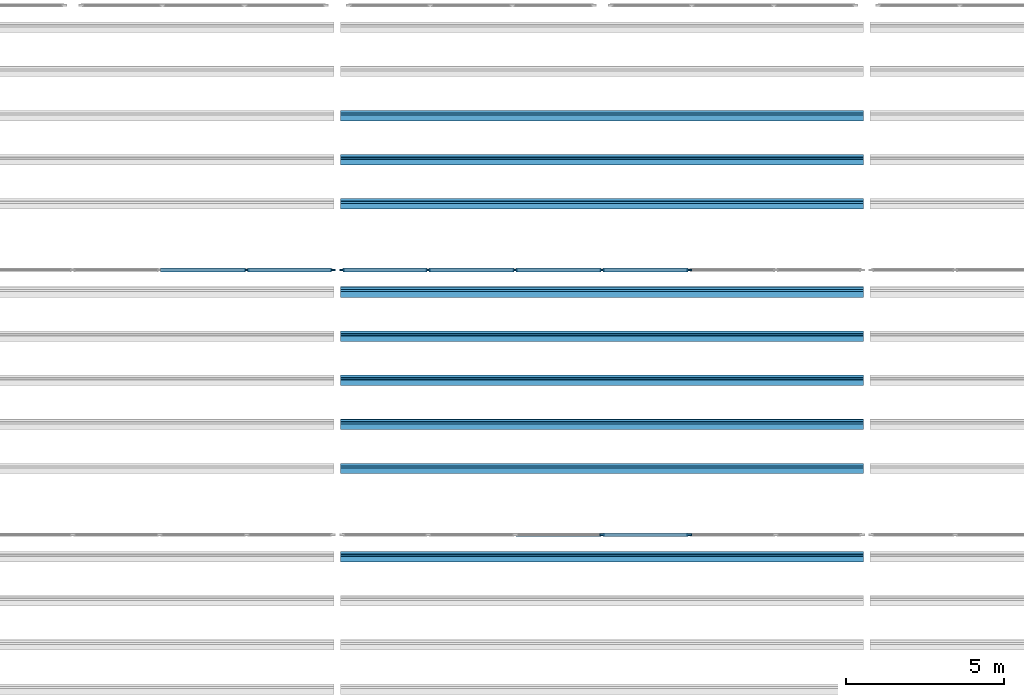
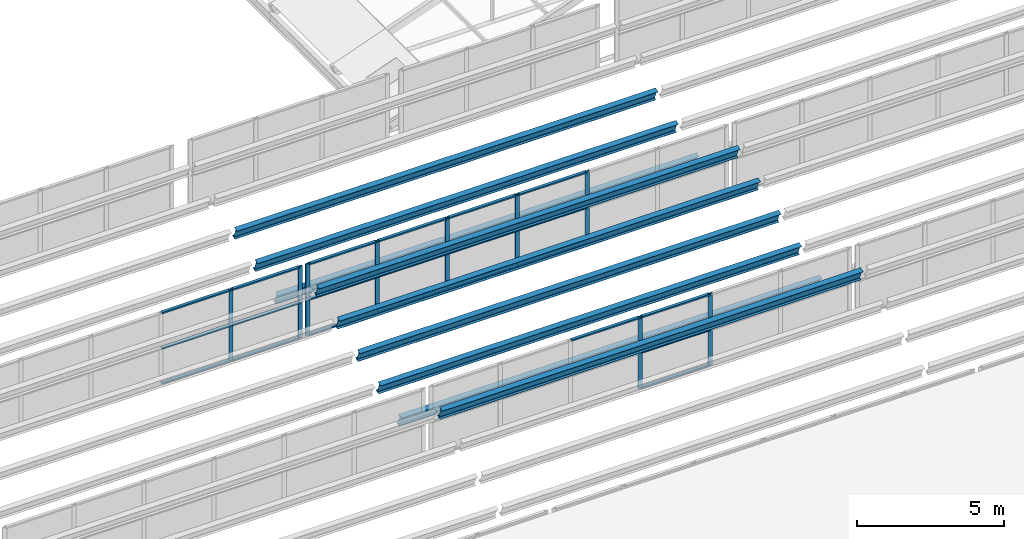
# One storey, part 22 of 116: 40 members, 3 elements without a shape of their own.
"""IFC4 building model written with IfcOpenShell, lengths in metres."""

from ifc_helpers import new_model, si_unit, direction, frame, origin, origin_2d, place, context, subcontext, project, spatial, rectangle, i_section, extrude, material, material_profile, profile_set, type_object, element, aggregate, save


model = new_model("IFC4")

# Units and contexts
model_context = context("Model", 3, precision=1e-05, world=origin(), true_north=direction((0.0, 1.0)))
body_context = subcontext(model_context, "Body", "Model", "MODEL_VIEW")
ifc_project = project(units=[si_unit("LENGTHUNIT", "METRE"), si_unit("AREAUNIT", "SQUARE_METRE"), si_unit("VOLUMEUNIT", "CUBIC_METRE"), si_unit("PLANEANGLEUNIT", "RADIAN"), si_unit("MASSUNIT", "GRAM", prefix="KILO")], contexts=[model_context])

# Site, building, storey
site_placement = place(None, origin())
site = spatial("IfcSite", under=ifc_project, at=site_placement, CompositionType="ELEMENT")
building_placement = place(site_placement, origin())
building = spatial("IfcBuilding", under=site, at=building_placement, Name="Fescue Hill Polytechnic", CompositionType="ELEMENT")
storey_placement = place(building_placement, frame((0.0, 0.0, 13.5)))
storey = spatial("IfcBuildingStorey", under=building, at=storey_placement, Name="L03", CompositionType="ELEMENT", Elevation=13.5)

# Curtain wall, members
ifc_material_1 = material(Name="Aluminium and glass", Category="aluminium")
curtain_wall_type = type_object("IfcCurtainWallType", Name="Sawtooth north glazing curtain wall", PredefinedType="NOTDEFINED", material=ifc_material_1)
curtain_wall_1_placement = place(storey_placement, origin())
curtain_wall_1 = element("IfcCurtainWall", 1, at=curtain_wall_1_placement, inside=storey, type_object=curtain_wall_type, Name="Sawtooth 2 north glazing bay 6", PredefinedType="NOTDEFINED")
ifc_material_2 = material(Name="Aluminium", Category="aluminium")
ifc_material_profile_1 = material_profile(ifc_material_2, rectangle(XDim=0.06005859375, YDim=0.159912109375, at=origin_2d()), Name="Curtain wall mullion 60x160")
ifc_profile_set_1 = profile_set([ifc_material_profile_1], Name="Aluminium")
member_type_1 = type_object("IfcMemberType", Name="Curtain wall mullion 60x160", PredefinedType="MULLION", material=ifc_profile_set_1)
member_1_placement = place(storey_placement, frame((92.39990234375, 33.60009765625, 0.0), z_axis=(0.0, 0.0, 1.0), x_axis=(0.0, 1.0, 0.0)))
member_1 = element("IfcMember", 2, at=member_1_placement, type_object=member_type_1, Name="CW13 mullion 4", PredefinedType="MULLION", context=body_context, shape_type="SweptSolid", body=[
    extrude(rectangle(XDim=0.06005859375, YDim=0.159912109375, at=origin_2d()), origin(), (0.0, 0.0, 1.0), 3.0),
])
member_2_placement = place(storey_placement, frame((95.159912109375, 33.60009765625, 0.0), z_axis=(0.0, 0.0, 1.0), x_axis=(0.0, 1.0, 0.0)))
member_2 = element("IfcMember", 3, at=member_2_placement, type_object=member_type_1, Name="CW13 mullion 5", PredefinedType="MULLION", context=body_context, shape_type="SweptSolid", body=[
    extrude(rectangle(XDim=0.06005859375, YDim=0.159912109375, at=origin_2d()), origin(), (0.0, 0.0, 1.0), 3.0),
])

curtain_wall_2_placement = place(storey_placement, origin())
curtain_wall_2 = element("IfcCurtainWall", 4, at=curtain_wall_2_placement, inside=storey, type_object=curtain_wall_type, Name="Sawtooth 3 north glazing bay 5", PredefinedType="NOTDEFINED")
member_3_placement = place(storey_placement, frame((81.1201171875, 42.0, 0.0), z_axis=(0.0, 0.0, 1.0), x_axis=(0.0, 1.0, 0.0)))
member_3 = element("IfcMember", 5, at=member_3_placement, type_object=member_type_1, Name="CW19 mullion 6", PredefinedType="MULLION", context=body_context, shape_type="SweptSolid", body=[
    extrude(rectangle(XDim=0.06005859375, YDim=0.159912109375, at=origin_2d()), origin(), (0.0, 0.0, 1.0), 3.0),
])
member_4_placement = place(storey_placement, frame((83.85009765625, 42.0, 0.0), z_axis=(0.0, 0.0, 1.0), x_axis=(0.0, 1.0, 0.0)))
member_4 = element("IfcMember", 6, at=member_4_placement, type_object=member_type_1, Name="CW19 mullion 7", PredefinedType="MULLION", context=body_context, shape_type="SweptSolid", body=[
    extrude(rectangle(XDim=0.06005859375, YDim=0.159912109375, at=origin_2d()), origin(), (0.0, 0.0, 1.0), 3.0),
])

curtain_wall_3_placement = place(storey_placement, origin())
curtain_wall_3 = element("IfcCurtainWall", 7, at=curtain_wall_3_placement, inside=storey, type_object=curtain_wall_type, Name="Sawtooth 3 north glazing bay 6", PredefinedType="NOTDEFINED")
member_5_placement = place(storey_placement, frame((84.14990234375, 42.0, 0.0), z_axis=(0.0, 0.0, 1.0), x_axis=(0.0, 1.0, 0.0)))
member_5 = element("IfcMember", 8, at=member_5_placement, type_object=member_type_1, Name="CW20 mullion 1", PredefinedType="MULLION", context=body_context, shape_type="SweptSolid", body=[
    extrude(rectangle(XDim=0.06005859375, YDim=0.159912109375, at=origin_2d()), origin(), (0.0, 0.0, 1.0), 3.0),
])
member_6_placement = place(storey_placement, frame((86.8798828125, 42.0, 0.0), z_axis=(0.0, 0.0, 1.0), x_axis=(0.0, 1.0, 0.0)))
member_6 = element("IfcMember", 9, at=member_6_placement, type_object=member_type_1, Name="CW20 mullion 2", PredefinedType="MULLION", context=body_context, shape_type="SweptSolid", body=[
    extrude(rectangle(XDim=0.06005859375, YDim=0.159912109375, at=origin_2d()), origin(), (0.0, 0.0, 1.0), 3.0),
])
member_7_placement = place(storey_placement, frame((89.639892578125, 42.0, 0.0), z_axis=(0.0, 0.0, 1.0), x_axis=(0.0, 1.0, 0.0)))
member_7 = element("IfcMember", 10, at=member_7_placement, type_object=member_type_1, Name="CW20 mullion 3", PredefinedType="MULLION", context=body_context, shape_type="SweptSolid", body=[
    extrude(rectangle(XDim=0.06005859375, YDim=0.159912109375, at=origin_2d()), origin(), (0.0, 0.0, 1.0), 3.0),
])
member_8_placement = place(storey_placement, frame((92.39990234375, 42.0, 0.0), z_axis=(0.0, 0.0, 1.0), x_axis=(0.0, 1.0, 0.0)))
member_8 = element("IfcMember", 11, at=member_8_placement, type_object=member_type_1, Name="CW20 mullion 4", PredefinedType="MULLION", context=body_context, shape_type="SweptSolid", body=[
    extrude(rectangle(XDim=0.06005859375, YDim=0.159912109375, at=origin_2d()), origin(), (0.0, 0.0, 1.0), 3.0),
])
member_9_placement = place(storey_placement, frame((95.159912109375, 42.0, 0.0), z_axis=(0.0, 0.0, 1.0), x_axis=(0.0, 1.0, 0.0)))
member_9 = element("IfcMember", 12, at=member_9_placement, type_object=member_type_1, Name="CW20 mullion 5", PredefinedType="MULLION", context=body_context, shape_type="SweptSolid", body=[
    extrude(rectangle(XDim=0.06005859375, YDim=0.159912109375, at=origin_2d()), origin(), (0.0, 0.0, 1.0), 3.0),
])

# Member
ifc_material_profile_2 = material_profile(ifc_material_2, rectangle(XDim=0.1201171875, YDim=0.06005859375, at=origin_2d()), Name="Curtain wall transom 60x120")
ifc_profile_set_2 = profile_set([ifc_material_profile_2], Name="Aluminium")
member_type_2 = type_object("IfcMemberType", Name="Curtain wall transom 60x120", PredefinedType="USERDEFINED", material=ifc_profile_set_2)
member_10_placement = place(storey_placement, frame((89.669921875, 33.60009765625, 2.969970703125), z_axis=(1.0, 0.0, 0.0), x_axis=(0.0, 1.0, 0.0)))
member_10 = element("IfcMember", 13, at=member_10_placement, type_object=member_type_2, Name="CW13 transom 3.3", ObjectType="TRANSOM", PredefinedType="USERDEFINED", context=body_context, shape_type="SweptSolid", body=[
    extrude(rectangle(XDim=0.1201171875, YDim=0.06005859375, at=origin_2d()), origin(), (0.0, 0.0, 1.0), 2.7001953125),
])

member_11_placement = place(storey_placement, frame((92.429931640625, 33.60009765625, 0.030029296875), z_axis=(1.0, 0.0, 0.0), x_axis=(0.0, 1.0, 0.0)))
member_11 = element("IfcMember", 14, at=member_11_placement, type_object=member_type_2, Name="CW13 transom 4.1", ObjectType="TRANSOM", PredefinedType="USERDEFINED", context=body_context, shape_type="SweptSolid", body=[
    extrude(rectangle(XDim=0.1201171875, YDim=0.06005859375, at=origin_2d()), origin(), (0.0, 0.0, 1.0), 2.699951171875),
])

member_12_placement = place(storey_placement, frame((92.429931640625, 33.60009765625, 1.5), z_axis=(1.0, 0.0, 0.0), x_axis=(0.0, 1.0, 0.0)))
member_12 = element("IfcMember", 15, at=member_12_placement, type_object=member_type_2, Name="CW13 transom 4.2", ObjectType="TRANSOM", PredefinedType="USERDEFINED", context=body_context, shape_type="SweptSolid", body=[
    extrude(rectangle(XDim=0.1201171875, YDim=0.06005859375, at=origin_2d()), origin(), (0.0, 0.0, 1.0), 2.699951171875),
])

member_13_placement = place(storey_placement, frame((92.429931640625, 33.60009765625, 2.969970703125), z_axis=(1.0, 0.0, 0.0), x_axis=(0.0, 1.0, 0.0)))
member_13 = element("IfcMember", 16, at=member_13_placement, type_object=member_type_2, Name="CW13 transom 4.3", ObjectType="TRANSOM", PredefinedType="USERDEFINED", context=body_context, shape_type="SweptSolid", body=[
    extrude(rectangle(XDim=0.1201171875, YDim=0.06005859375, at=origin_2d()), origin(), (0.0, 0.0, 1.0), 2.699951171875),
])

aggregate(curtain_wall_1, [member_1, member_2, member_10, member_11, member_12, member_13])

member_14_placement = place(storey_placement, frame((78.389892578125, 42.0, 0.030029296875), z_axis=(1.0, 0.0, 0.0), x_axis=(0.0, 1.0, 0.0)))
member_14 = element("IfcMember", 17, at=member_14_placement, type_object=member_type_2, Name="CW19 transom 5.1", ObjectType="TRANSOM", PredefinedType="USERDEFINED", context=body_context, shape_type="SweptSolid", body=[
    extrude(rectangle(XDim=0.1201171875, YDim=0.06005859375, at=origin_2d()), origin(), (0.0, 0.0, 1.0), 2.7001953125),
])

member_15_placement = place(storey_placement, frame((78.389892578125, 42.0, 1.5), z_axis=(1.0, 0.0, 0.0), x_axis=(0.0, 1.0, 0.0)))
member_15 = element("IfcMember", 18, at=member_15_placement, type_object=member_type_2, Name="CW19 transom 5.2", ObjectType="TRANSOM", PredefinedType="USERDEFINED", context=body_context, shape_type="SweptSolid", body=[
    extrude(rectangle(XDim=0.1201171875, YDim=0.06005859375, at=origin_2d()), origin(), (0.0, 0.0, 1.0), 2.7001953125),
])

member_16_placement = place(storey_placement, frame((78.389892578125, 42.0, 2.969970703125), z_axis=(1.0, 0.0, 0.0), x_axis=(0.0, 1.0, 0.0)))
member_16 = element("IfcMember", 19, at=member_16_placement, type_object=member_type_2, Name="CW19 transom 5.3", ObjectType="TRANSOM", PredefinedType="USERDEFINED", context=body_context, shape_type="SweptSolid", body=[
    extrude(rectangle(XDim=0.1201171875, YDim=0.06005859375, at=origin_2d()), origin(), (0.0, 0.0, 1.0), 2.7001953125),
])

member_17_placement = place(storey_placement, frame((81.14990234375, 42.0, 0.030029296875), z_axis=(1.0, 0.0, 0.0), x_axis=(0.0, 1.0, 0.0)))
member_17 = element("IfcMember", 20, at=member_17_placement, type_object=member_type_2, Name="CW19 transom 6.1", ObjectType="TRANSOM", PredefinedType="USERDEFINED", context=body_context, shape_type="SweptSolid", body=[
    extrude(rectangle(XDim=0.1201171875, YDim=0.06005859375, at=origin_2d()), origin(), (0.0, 0.0, 1.0), 2.670166015625),
])

member_18_placement = place(storey_placement, frame((81.14990234375, 42.0, 1.5), z_axis=(1.0, 0.0, 0.0), x_axis=(0.0, 1.0, 0.0)))
member_18 = element("IfcMember", 21, at=member_18_placement, type_object=member_type_2, Name="CW19 transom 6.2", ObjectType="TRANSOM", PredefinedType="USERDEFINED", context=body_context, shape_type="SweptSolid", body=[
    extrude(rectangle(XDim=0.1201171875, YDim=0.06005859375, at=origin_2d()), origin(), (0.0, 0.0, 1.0), 2.670166015625),
])

member_19_placement = place(storey_placement, frame((81.14990234375, 42.0, 2.969970703125), z_axis=(1.0, 0.0, 0.0), x_axis=(0.0, 1.0, 0.0)))
member_19 = element("IfcMember", 22, at=member_19_placement, type_object=member_type_2, Name="CW19 transom 6.3", ObjectType="TRANSOM", PredefinedType="USERDEFINED", context=body_context, shape_type="SweptSolid", body=[
    extrude(rectangle(XDim=0.1201171875, YDim=0.06005859375, at=origin_2d()), origin(), (0.0, 0.0, 1.0), 2.670166015625),
])

aggregate(curtain_wall_2, [member_3, member_4, member_14, member_15, member_16, member_17, member_18, member_19])

member_20_placement = place(storey_placement, frame((84.179931640625, 42.0, 0.030029296875), z_axis=(1.0, 0.0, 0.0), x_axis=(0.0, 1.0, 0.0)))
member_20 = element("IfcMember", 23, at=member_20_placement, type_object=member_type_2, Name="CW20 transom 1.1", ObjectType="TRANSOM", PredefinedType="USERDEFINED", context=body_context, shape_type="SweptSolid", body=[
    extrude(rectangle(XDim=0.1201171875, YDim=0.06005859375, at=origin_2d()), origin(), (0.0, 0.0, 1.0), 2.670166015625),
])

member_21_placement = place(storey_placement, frame((84.179931640625, 42.0, 1.5), z_axis=(1.0, 0.0, 0.0), x_axis=(0.0, 1.0, 0.0)))
member_21 = element("IfcMember", 24, at=member_21_placement, type_object=member_type_2, Name="CW20 transom 1.2", ObjectType="TRANSOM", PredefinedType="USERDEFINED", context=body_context, shape_type="SweptSolid", body=[
    extrude(rectangle(XDim=0.1201171875, YDim=0.06005859375, at=origin_2d()), origin(), (0.0, 0.0, 1.0), 2.670166015625),
])

member_22_placement = place(storey_placement, frame((84.179931640625, 42.0, 2.969970703125), z_axis=(1.0, 0.0, 0.0), x_axis=(0.0, 1.0, 0.0)))
member_22 = element("IfcMember", 25, at=member_22_placement, type_object=member_type_2, Name="CW20 transom 1.3", ObjectType="TRANSOM", PredefinedType="USERDEFINED", context=body_context, shape_type="SweptSolid", body=[
    extrude(rectangle(XDim=0.1201171875, YDim=0.06005859375, at=origin_2d()), origin(), (0.0, 0.0, 1.0), 2.670166015625),
])

member_23_placement = place(storey_placement, frame((86.909912109375, 42.0, 0.030029296875), z_axis=(1.0, 0.0, 0.0), x_axis=(0.0, 1.0, 0.0)))
member_23 = element("IfcMember", 26, at=member_23_placement, type_object=member_type_2, Name="CW20 transom 2.1", ObjectType="TRANSOM", PredefinedType="USERDEFINED", context=body_context, shape_type="SweptSolid", body=[
    extrude(rectangle(XDim=0.1201171875, YDim=0.06005859375, at=origin_2d()), origin(), (0.0, 0.0, 1.0), 2.7001953125),
])

member_24_placement = place(storey_placement, frame((86.909912109375, 42.0, 1.5), z_axis=(1.0, 0.0, 0.0), x_axis=(0.0, 1.0, 0.0)))
member_24 = element("IfcMember", 27, at=member_24_placement, type_object=member_type_2, Name="CW20 transom 2.2", ObjectType="TRANSOM", PredefinedType="USERDEFINED", context=body_context, shape_type="SweptSolid", body=[
    extrude(rectangle(XDim=0.1201171875, YDim=0.06005859375, at=origin_2d()), origin(), (0.0, 0.0, 1.0), 2.7001953125),
])

member_25_placement = place(storey_placement, frame((86.909912109375, 42.0, 2.969970703125), z_axis=(1.0, 0.0, 0.0), x_axis=(0.0, 1.0, 0.0)))
member_25 = element("IfcMember", 28, at=member_25_placement, type_object=member_type_2, Name="CW20 transom 2.3", ObjectType="TRANSOM", PredefinedType="USERDEFINED", context=body_context, shape_type="SweptSolid", body=[
    extrude(rectangle(XDim=0.1201171875, YDim=0.06005859375, at=origin_2d()), origin(), (0.0, 0.0, 1.0), 2.7001953125),
])

member_26_placement = place(storey_placement, frame((89.669921875, 42.0, 0.030029296875), z_axis=(1.0, 0.0, 0.0), x_axis=(0.0, 1.0, 0.0)))
member_26 = element("IfcMember", 29, at=member_26_placement, type_object=member_type_2, Name="CW20 transom 3.1", ObjectType="TRANSOM", PredefinedType="USERDEFINED", context=body_context, shape_type="SweptSolid", body=[
    extrude(rectangle(XDim=0.1201171875, YDim=0.06005859375, at=origin_2d()), origin(), (0.0, 0.0, 1.0), 2.7001953125),
])

member_27_placement = place(storey_placement, frame((89.669921875, 42.0, 1.5), z_axis=(1.0, 0.0, 0.0), x_axis=(0.0, 1.0, 0.0)))
member_27 = element("IfcMember", 30, at=member_27_placement, type_object=member_type_2, Name="CW20 transom 3.2", ObjectType="TRANSOM", PredefinedType="USERDEFINED", context=body_context, shape_type="SweptSolid", body=[
    extrude(rectangle(XDim=0.1201171875, YDim=0.06005859375, at=origin_2d()), origin(), (0.0, 0.0, 1.0), 2.7001953125),
])

member_28_placement = place(storey_placement, frame((89.669921875, 42.0, 2.969970703125), z_axis=(1.0, 0.0, 0.0), x_axis=(0.0, 1.0, 0.0)))
member_28 = element("IfcMember", 31, at=member_28_placement, type_object=member_type_2, Name="CW20 transom 3.3", ObjectType="TRANSOM", PredefinedType="USERDEFINED", context=body_context, shape_type="SweptSolid", body=[
    extrude(rectangle(XDim=0.1201171875, YDim=0.06005859375, at=origin_2d()), origin(), (0.0, 0.0, 1.0), 2.7001953125),
])

member_29_placement = place(storey_placement, frame((92.429931640625, 42.0, 0.030029296875), z_axis=(1.0, 0.0, 0.0), x_axis=(0.0, 1.0, 0.0)))
member_29 = element("IfcMember", 32, at=member_29_placement, type_object=member_type_2, Name="CW20 transom 4.1", ObjectType="TRANSOM", PredefinedType="USERDEFINED", context=body_context, shape_type="SweptSolid", body=[
    extrude(rectangle(XDim=0.1201171875, YDim=0.06005859375, at=origin_2d()), origin(), (0.0, 0.0, 1.0), 2.699951171875),
])

member_30_placement = place(storey_placement, frame((92.429931640625, 42.0, 1.5), z_axis=(1.0, 0.0, 0.0), x_axis=(0.0, 1.0, 0.0)))
member_30 = element("IfcMember", 33, at=member_30_placement, type_object=member_type_2, Name="CW20 transom 4.2", ObjectType="TRANSOM", PredefinedType="USERDEFINED", context=body_context, shape_type="SweptSolid", body=[
    extrude(rectangle(XDim=0.1201171875, YDim=0.06005859375, at=origin_2d()), origin(), (0.0, 0.0, 1.0), 2.699951171875),
])

member_31_placement = place(storey_placement, frame((92.429931640625, 42.0, 2.969970703125), z_axis=(1.0, 0.0, 0.0), x_axis=(0.0, 1.0, 0.0)))
member_31 = element("IfcMember", 34, at=member_31_placement, type_object=member_type_2, Name="CW20 transom 4.3", ObjectType="TRANSOM", PredefinedType="USERDEFINED", context=body_context, shape_type="SweptSolid", body=[
    extrude(rectangle(XDim=0.1201171875, YDim=0.06005859375, at=origin_2d()), origin(), (0.0, 0.0, 1.0), 2.699951171875),
])

aggregate(curtain_wall_3, [member_5, member_6, member_7, member_8, member_9, member_20, member_21, member_22, member_23, member_24, member_25, member_26, member_27, member_28, member_29, member_30, member_31])

# Members
ifc_material_3 = material(Name="Steel 350W (350 MPa)", Category="steel")
ifc_material_profile_3 = material_profile(ifc_material_3, i_section(OverallWidth=0.18994140625, OverallDepth=0.45703125, WebThickness=0.009033203125, FlangeThickness=0.014404296875, FilletRadius=0.0166015625, at=origin_2d()), Name="W460x74")
ifc_profile_set_3 = profile_set([ifc_material_profile_3], Name="Steel 350W (350 MPa)")
member_type_3 = type_object("IfcMemberType", Name="Tooth purlin W460x74", PredefinedType="PURLIN", material=ifc_profile_set_3)
for number, where, z_axis, x_axis, name in (
    (35, (84.1044921875, 35.699951171875, 0.294921875), (1.0, 0.0, 0.0), (0.0, 0.941741911595, 0.336336396997), "Tooth 3 purlin 2 bay 6"),
    (36, (84.1044921875, 37.10009765625, 0.794921875), (1.0, 0.0, 0.0), (0.0, 0.941741911595, 0.336336396997), "Tooth 3 purlin 3 bay 6"),
    (37, (84.1044921875, 38.5, 1.294921875), (1.0, 0.0, 0.0), (0.0, 0.941741911595, 0.336336396997), "Tooth 3 purlin 4 bay 6"),
    (38, (84.1044921875, 39.89990234375, 1.794921875), (1.0, 0.0, 0.0), (0.0, 0.941741911595, 0.336336396997), "Tooth 3 purlin 5 bay 6"),
    (39, (84.1044921875, 44.10009765625, 0.294921875), (1.0, 0.0, 0.0), (0.0, 0.941741911595, 0.336336396997), "Tooth 4 purlin 2 bay 6"),
    (40, (84.1044921875, 45.5, 0.794921875), (1.0, 0.0, 0.0), (0.0, 0.941741911595, 0.336336396997), "Tooth 4 purlin 3 bay 6"),
    (41, (84.1044921875, 46.89990234375, 1.294921875), (1.0, 0.0, 0.0), (0.0, 0.941741911595, 0.336336396997), "Tooth 4 purlin 4 bay 6"),
):
    element("IfcMember", number, at=place(storey_placement, frame(where, z_axis=z_axis, x_axis=x_axis)), inside=storey, type_object=member_type_3, Name=name, PredefinedType="PURLIN", context=body_context, shape_type="SweptSolid", body=[
        extrude(i_section(OverallWidth=0.18994140625, OverallDepth=0.45703125, WebThickness=0.009033203125, FlangeThickness=0.014404296875, FilletRadius=0.0166015625, at=origin_2d()), origin(), (0.0, 0.0, 1.0), 16.591064453125),
    ])
ifc_material_profile_4 = material_profile(ifc_material_3, i_section(OverallWidth=0.193115234375, OverallDepth=0.466064453125, WebThickness=0.011474609375, FlangeThickness=0.01904296875, FilletRadius=0.01708984375, at=origin_2d()), Name="W460x97")
ifc_profile_set_4 = profile_set([ifc_material_profile_4], Name="Steel 350W (350 MPa)")
member_type_4 = type_object("IfcMemberType", Name="Tooth ridge purlin W460x97", PredefinedType="PURLIN", material=ifc_profile_set_4)
for number, where, z_axis, x_axis, name in (
    (42, (84.1044921875, 32.89990234375, 2.290283203125), (1.0, 0.0, 0.0), (0.0, 0.941741911595, 0.336336396997), "Tooth 2 ridge purlin bay 6"),
    (43, (84.1044921875, 41.300048828125, 2.290283203125), (1.0, 0.0, 0.0), (0.0, 0.941741911595, 0.336336396997), "Tooth 3 ridge purlin bay 6"),
):
    element("IfcMember", number, at=place(storey_placement, frame(where, z_axis=z_axis, x_axis=x_axis)), inside=storey, type_object=member_type_4, Name=name, PredefinedType="PURLIN", context=body_context, shape_type="SweptSolid", body=[
        extrude(i_section(OverallWidth=0.193115234375, OverallDepth=0.466064453125, WebThickness=0.011474609375, FlangeThickness=0.01904296875, FilletRadius=0.01708984375, at=origin_2d()), origin(), (0.0, 0.0, 1.0), 16.591064453125),
    ])

save(model, "model.ifc")
